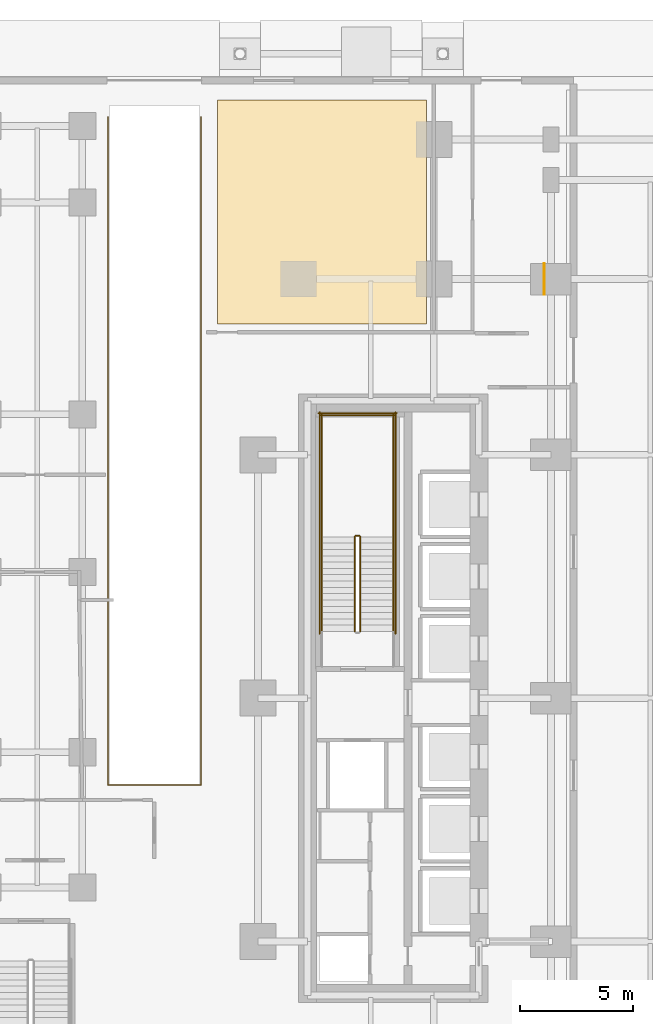
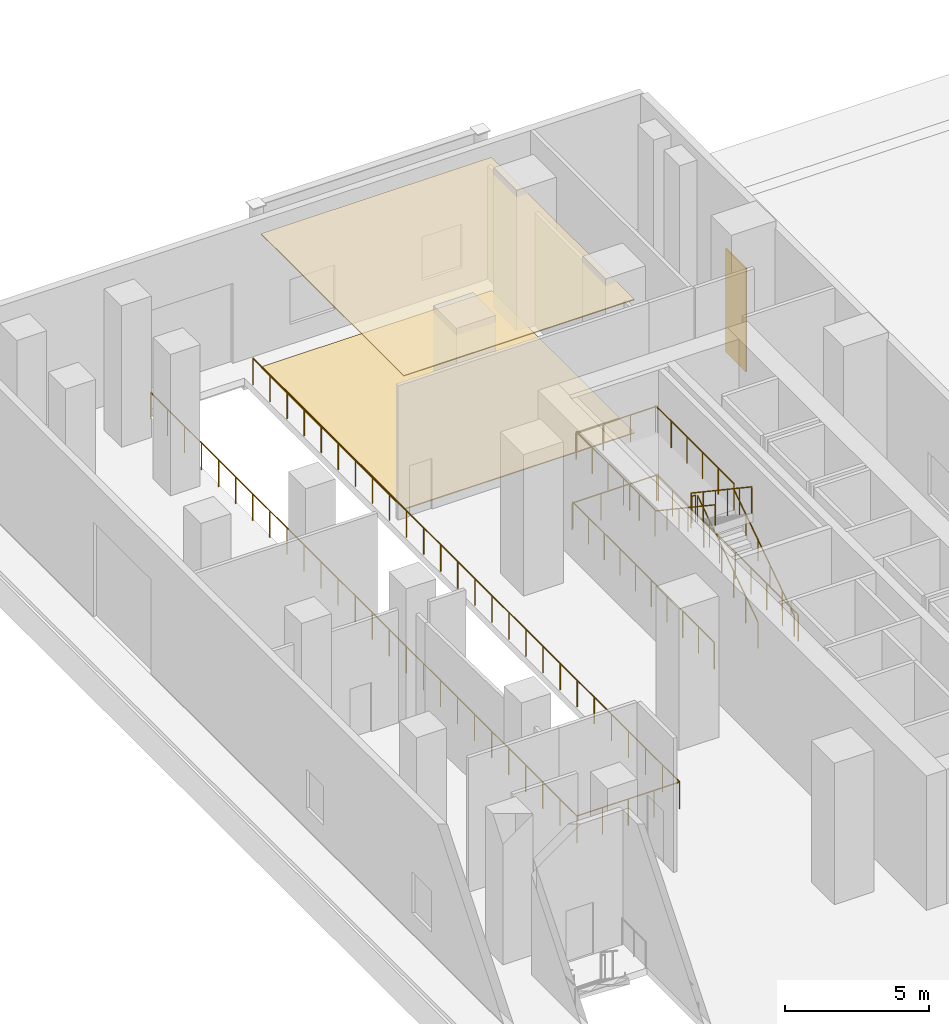
# One storey, part 19 of 22: 12 railings, 3 coverings.
"""IFC4 building model written with IfcOpenShell, lengths in metres."""

from ifc_helpers import new_model, si_unit, direction, frame, origin, origin_2d, place, context, subcontext, project, spatial, polyline, rectangle, circle, outline, extrude, material, layer, layer_set, type_object, element, save


model = new_model("IFC4")

# Units and contexts
model_context = context("Model", 3, precision=1e-05, world=origin(), true_north=direction((0.0, 1.0)))
body_context = subcontext(model_context, "Body", "Model", "MODEL_VIEW")
ifc_project = project(units=[si_unit("LENGTHUNIT", "METRE"), si_unit("AREAUNIT", "SQUARE_METRE"), si_unit("VOLUMEUNIT", "CUBIC_METRE"), si_unit("PLANEANGLEUNIT", "RADIAN"), si_unit("MASSUNIT", "GRAM", prefix="KILO")], contexts=[model_context])

# Site, building, storey
site_placement = place(None, origin())
site = spatial("IfcSite", under=ifc_project, at=site_placement, CompositionType="ELEMENT")
building_placement = place(site_placement, origin())
building = spatial("IfcBuilding", under=site, at=building_placement, Name="Khairoan Windgate Tower", CompositionType="ELEMENT")
storey_placement = place(building_placement, origin())
storey = spatial("IfcBuildingStorey", under=building, at=storey_placement, Name="L01", CompositionType="ELEMENT", Elevation=0.0)

# Coverings
ifc_material_1 = material(Name="Anodised Bronze Aluminium 6063-T6", Category="aluminium")
ifc_layer_1 = layer(ifc_material_1, 0.0400390625, Name="Anodised Bronze Aluminium 6063-T6")
ifc_layer_set_1 = layer_set([ifc_layer_1], Name="Anodised Bronze Aluminium 6063-T6")
covering_type_1 = type_object("IfcCoveringType", Name="Anodised Bronze Arch Pier Cladding", PredefinedType="CLADDING", material=ifc_layer_set_1)
covering_1_placement = place(storey_placement, frame((-9.5, 18.60009765625, 0.0), z_axis=(0.0, 0.0, 1.0), x_axis=(1.0, 0.0, 0.0)))
element("IfcCovering", 1, at=covering_1_placement, inside=storey, type_object=covering_type_1, Name="L01 Arch Pier Bronze Cladding 03", PredefinedType="CLADDING", context=body_context, shape_type="SweptSolid", body=[
    extrude(rectangle(XDim=0.0400390625, YDim=1.39990234375, at=origin_2d()), origin(), (0.0, 0.0, 1.0), 4.39990234375),
])
ifc_material_2 = material(Name="Acoustic Mineral Fibre Ceiling", Category="gypsum")
ifc_layer_2 = layer(ifc_material_2, 0.0400390625, Name="Acoustic Mineral Fibre Ceiling")
ifc_layer_set_2 = layer_set([ifc_layer_2], Name="Acoustic Mineral Fibre Ceiling")
covering_type_2 = type_object("IfcCoveringType", Name="Flush Acoustic Mineral Ceiling Panel", PredefinedType="CEILING", material=ifc_layer_set_2)
covering_2_placement = place(storey_placement, frame((0.0, 0.0, 5.659912109375)))
element("IfcCovering", 2, at=covering_2_placement, inside=storey, type_object=covering_type_2, Name="L01 Riverfront Retail Boutique West A Acoustic Ceiling", PredefinedType="CEILING", context=body_context, shape_type="SweptSolid", body=[
    extrude(outline(polyline([(-23.989990234375, 26.550048828125), (-14.72998046875, 26.550048828125), (-14.72998046875, 16.610107421875), (-23.989990234375, 16.610107421875), (-23.989990234375, 26.550048828125)])), origin(), (0.0, 0.0, 1.0), 0.0400390625),
])
ifc_material_3 = material(Name="Travertine Stone Paving", Category="masonry")
ifc_layer_3 = layer(ifc_material_3, 0.0400390625, Name="Travertine Stone Paving")
ifc_layer_set_3 = layer_set([ifc_layer_3], Name="Travertine Stone Paving")
covering_type_3 = type_object("IfcCoveringType", Name="Honed Travertine Lobby Stone Flooring", PredefinedType="FLOORING", material=ifc_layer_set_3)
covering_3_placement = place(storey_placement, origin())
element("IfcCovering", 3, at=covering_3_placement, inside=storey, type_object=covering_type_3, Name="L01 Riverfront Retail Boutique West A Finish Flooring", PredefinedType="FLOORING", context=body_context, shape_type="SweptSolid", body=[
    extrude(outline(polyline([(-23.989990234375, 26.550048828125), (-14.72998046875, 26.550048828125), (-14.72998046875, 16.610107421875), (-23.989990234375, 16.610107421875), (-23.989990234375, 26.550048828125)])), origin(), (0.0, 0.0, 1.0), 0.0400390625),
])

# Railings
ifc_material_4 = material(Name="Steel S355", Category="steel")
railing_type_1 = type_object("IfcRailingType", Name="Ramp Safety Guardrail RG-1150", PredefinedType="GUARDRAIL", material=ifc_material_4)
railing_1_placement = place(storey_placement, frame((-28.860107421875, 25.800048828125, 0.0)))
element("IfcRailing", 4, at=railing_1_placement, inside=storey, type_object=railing_type_1, Name="L01 Ramp R1 Void Perimeter Guardrail", PredefinedType="GUARDRAIL", context=body_context, shape_type="SweptSolid", body=[
    extrude(circle(Radius=0.02392578125, at=origin_2d()), frame((0.0, 0.0, 1.1259765625), z_axis=(0.0, -1.0, 0.0), x_axis=(1.0, 0.0, 0.0)), (0.0, 0.0, 1.0), 29.66015625),
    extrude(circle(Radius=0.02392578125, at=origin_2d()), frame((0.0, -29.66015625, 1.1259765625), z_axis=(1.0, 0.0, 0.0), x_axis=(0.0, 1.0, 0.0)), (0.0, 0.0, 1.0), 4.1201171875),
    extrude(circle(Radius=0.02392578125, at=origin_2d()), frame((4.1201171875, -29.66015625, 1.1259765625), z_axis=(0.0, 1.0, 0.0), x_axis=(-1.0, 0.0, 0.0)), (0.0, 0.0, 1.0), 29.66015625),
    extrude(circle(Radius=0.02099609375, at=origin_2d()), origin(), (0.0, 0.0, 1.0), 1.101806640625),
    extrude(circle(Radius=0.02099609375, at=origin_2d()), frame((0.0, -1.1865234375, 0.0)), (0.0, 0.0, 1.0), 1.101806640625),
    extrude(circle(Radius=0.02099609375, at=origin_2d()), frame((0.0, -2.372802734375, 0.0)), (0.0, 0.0, 1.0), 1.101806640625),
    extrude(circle(Radius=0.02099609375, at=origin_2d()), frame((0.0, -3.559326171875, 0.0)), (0.0, 0.0, 1.0), 1.101806640625),
    extrude(circle(Radius=0.02099609375, at=origin_2d()), frame((0.0, -4.74560546875, 0.0)), (0.0, 0.0, 1.0), 1.101806640625),
    extrude(circle(Radius=0.02099609375, at=origin_2d()), frame((0.0, -5.93212890625, 0.0)), (0.0, 0.0, 1.0), 1.101806640625),
    extrude(circle(Radius=0.02099609375, at=origin_2d()), frame((0.0, -7.118408203125, 0.0)), (0.0, 0.0, 1.0), 1.101806640625),
    extrude(circle(Radius=0.02099609375, at=origin_2d()), frame((0.0, -8.304931640625, 0.0)), (0.0, 0.0, 1.0), 1.101806640625),
    extrude(circle(Radius=0.02099609375, at=origin_2d()), frame((0.0, -9.4912109375, 0.0)), (0.0, 0.0, 1.0), 1.101806640625),
    extrude(circle(Radius=0.02099609375, at=origin_2d()), frame((0.0, -10.677734375, 0.0)), (0.0, 0.0, 1.0), 1.101806640625),
    extrude(circle(Radius=0.02099609375, at=origin_2d()), frame((0.0, -11.864013671875, 0.0)), (0.0, 0.0, 1.0), 1.101806640625),
    extrude(circle(Radius=0.02099609375, at=origin_2d()), frame((0.0, -13.050537109375, 0.0)), (0.0, 0.0, 1.0), 1.101806640625),
    extrude(circle(Radius=0.02099609375, at=origin_2d()), frame((0.0, -14.23681640625, 0.0)), (0.0, 0.0, 1.0), 1.101806640625),
    extrude(circle(Radius=0.02099609375, at=origin_2d()), frame((0.0, -15.42333984375, 0.0)), (0.0, 0.0, 1.0), 1.101806640625),
    extrude(circle(Radius=0.02099609375, at=origin_2d()), frame((0.0, -16.609619140625, 0.0)), (0.0, 0.0, 1.0), 1.101806640625),
    extrude(circle(Radius=0.02099609375, at=origin_2d()), frame((0.0, -17.796142578125, 0.0)), (0.0, 0.0, 1.0), 1.101806640625),
    extrude(circle(Radius=0.02099609375, at=origin_2d()), frame((0.0, -18.982421875, 0.0)), (0.0, 0.0, 1.0), 1.101806640625),
    extrude(circle(Radius=0.02099609375, at=origin_2d()), frame((0.0, -20.1689453125, 0.0)), (0.0, 0.0, 1.0), 1.101806640625),
    extrude(circle(Radius=0.02099609375, at=origin_2d()), frame((0.0, -21.355224609375, 0.0)), (0.0, 0.0, 1.0), 1.101806640625),
    extrude(circle(Radius=0.02099609375, at=origin_2d()), frame((0.0, -22.541748046875, 0.0)), (0.0, 0.0, 1.0), 1.101806640625),
    extrude(circle(Radius=0.02099609375, at=origin_2d()), frame((0.0, -23.72802734375, 0.0)), (0.0, 0.0, 1.0), 1.101806640625),
    extrude(circle(Radius=0.02099609375, at=origin_2d()), frame((0.0, -24.91455078125, 0.0)), (0.0, 0.0, 1.0), 1.101806640625),
    extrude(circle(Radius=0.02099609375, at=origin_2d()), frame((0.0, -26.100830078125, 0.0)), (0.0, 0.0, 1.0), 1.101806640625),
    extrude(circle(Radius=0.02099609375, at=origin_2d()), frame((0.0, -27.287353515625, 0.0)), (0.0, 0.0, 1.0), 1.101806640625),
    extrude(circle(Radius=0.02099609375, at=origin_2d()), frame((0.0, -28.4736328125, 0.0)), (0.0, 0.0, 1.0), 1.101806640625),
    extrude(circle(Radius=0.02099609375, at=origin_2d()), frame((0.0, -29.66015625, 0.0)), (0.0, 0.0, 1.0), 1.101806640625),
    extrude(circle(Radius=0.02099609375, at=origin_2d()), frame((1.030029296875, -29.66015625, 0.0)), (0.0, 0.0, 1.0), 1.101806640625),
    extrude(circle(Radius=0.02099609375, at=origin_2d()), frame((2.06005859375, -29.66015625, 0.0)), (0.0, 0.0, 1.0), 1.101806640625),
    extrude(circle(Radius=0.02099609375, at=origin_2d()), frame((3.090087890625, -29.66015625, 0.0)), (0.0, 0.0, 1.0), 1.101806640625),
    extrude(circle(Radius=0.02099609375, at=origin_2d()), frame((4.1201171875, -29.66015625, 0.0)), (0.0, 0.0, 1.0), 1.101806640625),
    extrude(circle(Radius=0.02099609375, at=origin_2d()), frame((4.1201171875, -28.4736328125, 0.0)), (0.0, 0.0, 1.0), 1.101806640625),
    extrude(circle(Radius=0.02099609375, at=origin_2d()), frame((4.1201171875, -27.287353515625, 0.0)), (0.0, 0.0, 1.0), 1.101806640625),
    extrude(circle(Radius=0.02099609375, at=origin_2d()), frame((4.1201171875, -26.100830078125, 0.0)), (0.0, 0.0, 1.0), 1.101806640625),
    extrude(circle(Radius=0.02099609375, at=origin_2d()), frame((4.1201171875, -24.91455078125, 0.0)), (0.0, 0.0, 1.0), 1.101806640625),
    extrude(circle(Radius=0.02099609375, at=origin_2d()), frame((4.1201171875, -23.72802734375, 0.0)), (0.0, 0.0, 1.0), 1.101806640625),
    extrude(circle(Radius=0.02099609375, at=origin_2d()), frame((4.1201171875, -22.541748046875, 0.0)), (0.0, 0.0, 1.0), 1.101806640625),
    extrude(circle(Radius=0.02099609375, at=origin_2d()), frame((4.1201171875, -21.355224609375, 0.0)), (0.0, 0.0, 1.0), 1.101806640625),
    extrude(circle(Radius=0.02099609375, at=origin_2d()), frame((4.1201171875, -20.1689453125, 0.0)), (0.0, 0.0, 1.0), 1.101806640625),
    extrude(circle(Radius=0.02099609375, at=origin_2d()), frame((4.1201171875, -18.982421875, 0.0)), (0.0, 0.0, 1.0), 1.101806640625),
    extrude(circle(Radius=0.02099609375, at=origin_2d()), frame((4.1201171875, -17.796142578125, 0.0)), (0.0, 0.0, 1.0), 1.101806640625),
    extrude(circle(Radius=0.02099609375, at=origin_2d()), frame((4.1201171875, -16.609619140625, 0.0)), (0.0, 0.0, 1.0), 1.101806640625),
    extrude(circle(Radius=0.02099609375, at=origin_2d()), frame((4.1201171875, -15.42333984375, 0.0)), (0.0, 0.0, 1.0), 1.101806640625),
    extrude(circle(Radius=0.02099609375, at=origin_2d()), frame((4.1201171875, -14.23681640625, 0.0)), (0.0, 0.0, 1.0), 1.101806640625),
    extrude(circle(Radius=0.02099609375, at=origin_2d()), frame((4.1201171875, -13.050537109375, 0.0)), (0.0, 0.0, 1.0), 1.101806640625),
    extrude(circle(Radius=0.02099609375, at=origin_2d()), frame((4.1201171875, -11.864013671875, 0.0)), (0.0, 0.0, 1.0), 1.101806640625),
    extrude(circle(Radius=0.02099609375, at=origin_2d()), frame((4.1201171875, -10.677734375, 0.0)), (0.0, 0.0, 1.0), 1.101806640625),
    extrude(circle(Radius=0.02099609375, at=origin_2d()), frame((4.1201171875, -9.4912109375, 0.0)), (0.0, 0.0, 1.0), 1.101806640625),
    extrude(circle(Radius=0.02099609375, at=origin_2d()), frame((4.1201171875, -8.304931640625, 0.0)), (0.0, 0.0, 1.0), 1.101806640625),
    extrude(circle(Radius=0.02099609375, at=origin_2d()), frame((4.1201171875, -7.118408203125, 0.0)), (0.0, 0.0, 1.0), 1.101806640625),
    extrude(circle(Radius=0.02099609375, at=origin_2d()), frame((4.1201171875, -5.93212890625, 0.0)), (0.0, 0.0, 1.0), 1.101806640625),
    extrude(circle(Radius=0.02099609375, at=origin_2d()), frame((4.1201171875, -4.74560546875, 0.0)), (0.0, 0.0, 1.0), 1.101806640625),
    extrude(circle(Radius=0.02099609375, at=origin_2d()), frame((4.1201171875, -3.559326171875, 0.0)), (0.0, 0.0, 1.0), 1.101806640625),
    extrude(circle(Radius=0.02099609375, at=origin_2d()), frame((4.1201171875, -2.372802734375, 0.0)), (0.0, 0.0, 1.0), 1.101806640625),
    extrude(circle(Radius=0.02099609375, at=origin_2d()), frame((4.1201171875, -1.1865234375, 0.0)), (0.0, 0.0, 1.0), 1.101806640625),
    extrude(circle(Radius=0.02099609375, at=origin_2d()), frame((4.1201171875, 0.0, 0.0)), (0.0, 0.0, 1.0), 1.101806640625),
])
ifc_material_5 = material(Name="Anodised Bronze Aluminium 6063-T6", Category="aluminium")
railing_type_2 = type_object("IfcRailingType", Name="Stair Wall Handrail SHR-900", PredefinedType="HANDRAIL", material=ifc_material_5)
railing_2_placement = place(storey_placement, frame((-16.199951171875, 2.9599609375, 0.1875)))
element("IfcRailing", 5, at=railing_2_placement, inside=storey, type_object=railing_type_2, Name="L01 ST2 stair handrail 1", PredefinedType="HANDRAIL", context=body_context, shape_type="SweptSolid", body=[
    extrude(circle(Radius=0.02392578125, at=origin_2d()), frame((0.0, 0.0, 0.8759765625), z_axis=(0.0, 0.830904186295, 0.556415522067), x_axis=(-1.0, 0.0, 0.0)), (0.0, 0.0, 1.0), 5.0546875),
    extrude(circle(Radius=0.02099609375, at=origin_2d()), origin(), (0.0, 0.0, 1.0), 0.851806640625),
    extrude(circle(Radius=0.02099609375, at=origin_2d()), frame((0.0, 0.840087890625, 0.5625)), (0.0, 0.0, 1.0), 0.851806640625),
    extrude(circle(Radius=0.02099609375, at=origin_2d()), frame((0.0, 1.679931640625, 1.125)), (0.0, 0.0, 1.0), 0.851806640625),
    extrude(circle(Radius=0.02099609375, at=origin_2d()), frame((0.0, 2.52001953125, 1.6875)), (0.0, 0.0, 1.0), 0.851806640625),
    extrude(circle(Radius=0.02099609375, at=origin_2d()), frame((0.0, 3.35986328125, 2.25)), (0.0, 0.0, 1.0), 0.851806640625),
    extrude(circle(Radius=0.02099609375, at=origin_2d()), frame((0.0, 4.199951171875, 2.8125)), (0.0, 0.0, 1.0), 0.851806640625),
])
railing_3_placement = place(storey_placement, frame((-19.3701171875, 7.159912109375, 3.1875)))
element("IfcRailing", 6, at=railing_3_placement, inside=storey, type_object=railing_type_2, Name="L01 ST2 stair handrail 2", PredefinedType="HANDRAIL", context=body_context, shape_type="SweptSolid", body=[
    extrude(circle(Radius=0.02392578125, at=origin_2d()), frame((0.0, 0.0, 0.8759765625), z_axis=(0.0, -0.830904186295, 0.556415522067), x_axis=(1.0, 0.0, 0.0)), (0.0, 0.0, 1.0), 5.0546875),
    extrude(circle(Radius=0.02099609375, at=origin_2d()), origin(), (0.0, 0.0, 1.0), 0.851806640625),
    extrude(circle(Radius=0.02099609375, at=origin_2d()), frame((0.0, -0.840087890625, 0.5625)), (0.0, 0.0, 1.0), 0.851806640625),
    extrude(circle(Radius=0.02099609375, at=origin_2d()), frame((0.0, -1.679931640625, 1.125)), (0.0, 0.0, 1.0), 0.851806640625),
    extrude(circle(Radius=0.02099609375, at=origin_2d()), frame((0.0, -2.52001953125, 1.6875)), (0.0, 0.0, 1.0), 0.851806640625),
    extrude(circle(Radius=0.02099609375, at=origin_2d()), frame((0.0, -3.35986328125, 2.25)), (0.0, 0.0, 1.0), 0.851806640625),
    extrude(circle(Radius=0.02099609375, at=origin_2d()), frame((0.0, -4.199951171875, 2.8125)), (0.0, 0.0, 1.0), 0.851806640625),
])
ifc_material_6 = material(Name="Steel S355", Category="steel")
railing_type_3 = type_object("IfcRailingType", Name="Stairwell Safety Guardrail SGR-1150", PredefinedType="GUARDRAIL", material=ifc_material_6)
railing_4_placement = place(storey_placement, frame((-17.659912109375, 2.9599609375, 0.1875)))
element("IfcRailing", 7, at=railing_4_placement, inside=storey, type_object=railing_type_3, Name="L01 ST2 stair guard 1", PredefinedType="GUARDRAIL", context=body_context, shape_type="SweptSolid", body=[
    extrude(circle(Radius=0.02392578125, at=origin_2d()), frame((0.0, 0.0, 1.1259765625), z_axis=(0.0, 0.830904186295, 0.556415522067), x_axis=(-1.0, 0.0, 0.0)), (0.0, 0.0, 1.0), 5.0546875),
    extrude(circle(Radius=0.02099609375, at=origin_2d()), origin(), (0.0, 0.0, 1.0), 1.101806640625),
    extrude(circle(Radius=0.02099609375, at=origin_2d()), frame((0.0, 0.840087890625, 0.5625)), (0.0, 0.0, 1.0), 1.101806640625),
    extrude(circle(Radius=0.02099609375, at=origin_2d()), frame((0.0, 1.679931640625, 1.125)), (0.0, 0.0, 1.0), 1.101806640625),
    extrude(circle(Radius=0.02099609375, at=origin_2d()), frame((0.0, 2.52001953125, 1.6875)), (0.0, 0.0, 1.0), 1.101806640625),
    extrude(circle(Radius=0.02099609375, at=origin_2d()), frame((0.0, 3.35986328125, 2.25)), (0.0, 0.0, 1.0), 1.101806640625),
    extrude(circle(Radius=0.02099609375, at=origin_2d()), frame((0.0, 4.199951171875, 2.8125)), (0.0, 0.0, 1.0), 1.101806640625),
])
railing_5_placement = place(storey_placement, frame((-17.7099609375, 7.2099609375, 3.0)))
element("IfcRailing", 8, at=railing_5_placement, inside=storey, type_object=railing_type_3, Name="L01 ST2 stair guard 2", PredefinedType="GUARDRAIL", context=body_context, shape_type="SweptSolid", body=[
    extrude(circle(Radius=0.02392578125, at=origin_2d()), frame((0.0, 0.0, 1.1259765625), z_axis=(-1.0, 0.0, 0.0), x_axis=(0.0, -1.0, 0.0)), (0.0, 0.0, 1.0), 0.150146484375),
    extrude(circle(Radius=0.02099609375, at=origin_2d()), origin(), (0.0, 0.0, 1.0), 1.101806640625),
    extrude(circle(Radius=0.02099609375, at=origin_2d()), frame((-0.150146484375, 0.0, 0.0)), (0.0, 0.0, 1.0), 1.101806640625),
])
for number, where, name in (
    (9, (-16.199951171875, 7.159912109375, 3.0), "L01 ST2 stair guard 3"),
    (10, (-19.3701171875, 7.159912109375, 3.0), "L01 ST2 stair guard 4"),
):
    element("IfcRailing", number, at=place(storey_placement, frame(where)), inside=storey, type_object=railing_type_3, Name=name, PredefinedType="GUARDRAIL", context=body_context, shape_type="SweptSolid", body=[
        extrude(circle(Radius=0.02392578125, at=origin_2d()), frame((0.0, 0.0, 1.1259765625), z_axis=(0.0, 1.0, 0.0), x_axis=(-1.0, 0.0, 0.0)), (0.0, 0.0, 1.0), 5.440185546875),
        extrude(circle(Radius=0.02099609375, at=origin_2d()), origin(), (0.0, 0.0, 1.0), 1.101806640625),
        extrude(circle(Radius=0.02099609375, at=origin_2d()), frame((0.0, 1.088134765625, 0.0)), (0.0, 0.0, 1.0), 1.101806640625),
        extrude(circle(Radius=0.02099609375, at=origin_2d()), frame((0.0, 2.176025390625, 0.0)), (0.0, 0.0, 1.0), 1.101806640625),
        extrude(circle(Radius=0.02099609375, at=origin_2d()), frame((0.0, 3.26416015625, 0.0)), (0.0, 0.0, 1.0), 1.101806640625),
        extrude(circle(Radius=0.02099609375, at=origin_2d()), frame((0.0, 4.35205078125, 0.0)), (0.0, 0.0, 1.0), 1.101806640625),
        extrude(circle(Radius=0.02099609375, at=origin_2d()), frame((0.0, 5.440185546875, 0.0)), (0.0, 0.0, 1.0), 1.101806640625),
    ])
railing_6_placement = place(storey_placement, frame((-16.14990234375, 12.550048828125, 3.0)))
element("IfcRailing", 11, at=railing_6_placement, inside=storey, type_object=railing_type_3, Name="L01 ST2 stair guard 5", PredefinedType="GUARDRAIL", context=body_context, shape_type="SweptSolid", body=[
    extrude(circle(Radius=0.02392578125, at=origin_2d()), frame((0.0, 0.0, 1.1259765625), z_axis=(-1.0, 0.0, 0.0), x_axis=(0.0, -1.0, 0.0)), (0.0, 0.0, 1.0), 3.27001953125),
    extrude(circle(Radius=0.02099609375, at=origin_2d()), origin(), (0.0, 0.0, 1.0), 1.101806640625),
    extrude(circle(Radius=0.02099609375, at=origin_2d()), frame((-1.090087890625, 0.0, 0.0)), (0.0, 0.0, 1.0), 1.101806640625),
    extrude(circle(Radius=0.02099609375, at=origin_2d()), frame((-2.179931640625, 0.0, 0.0)), (0.0, 0.0, 1.0), 1.101806640625),
    extrude(circle(Radius=0.02099609375, at=origin_2d()), frame((-3.27001953125, 0.0, 0.0)), (0.0, 0.0, 1.0), 1.101806640625),
])
railing_7_placement = place(storey_placement, frame((-17.909912109375, 7.159912109375, 3.1875)))
element("IfcRailing", 12, at=railing_7_placement, inside=storey, type_object=railing_type_3, Name="L01 ST2 stair guard 6", PredefinedType="GUARDRAIL", context=body_context, shape_type="SweptSolid", body=[
    extrude(circle(Radius=0.02392578125, at=origin_2d()), frame((0.0, 0.0, 1.1259765625), z_axis=(0.0, -0.830904186295, 0.556415522067), x_axis=(1.0, 0.0, 0.0)), (0.0, 0.0, 1.0), 5.0546875),
    extrude(circle(Radius=0.02099609375, at=origin_2d()), origin(), (0.0, 0.0, 1.0), 1.101806640625),
    extrude(circle(Radius=0.02099609375, at=origin_2d()), frame((0.0, -0.840087890625, 0.5625)), (0.0, 0.0, 1.0), 1.101806640625),
    extrude(circle(Radius=0.02099609375, at=origin_2d()), frame((0.0, -1.679931640625, 1.125)), (0.0, 0.0, 1.0), 1.101806640625),
    extrude(circle(Radius=0.02099609375, at=origin_2d()), frame((0.0, -2.52001953125, 1.6875)), (0.0, 0.0, 1.0), 1.101806640625),
    extrude(circle(Radius=0.02099609375, at=origin_2d()), frame((0.0, -3.35986328125, 2.25)), (0.0, 0.0, 1.0), 1.101806640625),
    extrude(circle(Radius=0.02099609375, at=origin_2d()), frame((0.0, -4.199951171875, 2.8125)), (0.0, 0.0, 1.0), 1.101806640625),
])
for number, where, name in (
    (13, (-16.10009765625, 2.860107421875, 0.0), "L01 ST2 stair guard 10"),
    (14, (-19.469970703125, 2.860107421875, 0.0), "L01 ST2 stair guard 11"),
):
    element("IfcRailing", number, at=place(storey_placement, frame(where)), inside=storey, type_object=railing_type_3, Name=name, PredefinedType="GUARDRAIL", context=body_context, shape_type="SweptSolid", body=[
        extrude(circle(Radius=0.02392578125, at=origin_2d()), frame((0.0, 0.0, 1.1259765625), z_axis=(0.0, 1.0, 0.0), x_axis=(-1.0, 0.0, 0.0)), (0.0, 0.0, 1.0), 9.83984375),
        extrude(circle(Radius=0.02099609375, at=origin_2d()), origin(), (0.0, 0.0, 1.0), 1.101806640625),
        extrude(circle(Radius=0.02099609375, at=origin_2d()), frame((0.0, 1.09326171875, 0.0)), (0.0, 0.0, 1.0), 1.101806640625),
        extrude(circle(Radius=0.02099609375, at=origin_2d()), frame((0.0, 2.1865234375, 0.0)), (0.0, 0.0, 1.0), 1.101806640625),
        extrude(circle(Radius=0.02099609375, at=origin_2d()), frame((0.0, 3.280029296875, 0.0)), (0.0, 0.0, 1.0), 1.101806640625),
        extrude(circle(Radius=0.02099609375, at=origin_2d()), frame((0.0, 4.373291015625, 0.0)), (0.0, 0.0, 1.0), 1.101806640625),
        extrude(circle(Radius=0.02099609375, at=origin_2d()), frame((0.0, 5.466552734375, 0.0)), (0.0, 0.0, 1.0), 1.101806640625),
        extrude(circle(Radius=0.02099609375, at=origin_2d()), frame((0.0, 6.559814453125, 0.0)), (0.0, 0.0, 1.0), 1.101806640625),
        extrude(circle(Radius=0.02099609375, at=origin_2d()), frame((0.0, 7.6533203125, 0.0)), (0.0, 0.0, 1.0), 1.101806640625),
        extrude(circle(Radius=0.02099609375, at=origin_2d()), frame((0.0, 8.74658203125, 0.0)), (0.0, 0.0, 1.0), 1.101806640625),
        extrude(circle(Radius=0.02099609375, at=origin_2d()), frame((0.0, 9.83984375, 0.0)), (0.0, 0.0, 1.0), 1.101806640625),
    ])
railing_8_placement = place(storey_placement, frame((-16.050048828125, 12.64990234375, 0.0)))
element("IfcRailing", 15, at=railing_8_placement, inside=storey, type_object=railing_type_3, Name="L01 ST2 stair guard 12", PredefinedType="GUARDRAIL", context=body_context, shape_type="SweptSolid", body=[
    extrude(circle(Radius=0.02392578125, at=origin_2d()), frame((0.0, 0.0, 1.1259765625), z_axis=(-1.0, 0.0, 0.0), x_axis=(0.0, -1.0, 0.0)), (0.0, 0.0, 1.0), 3.469970703125),
    extrude(circle(Radius=0.02099609375, at=origin_2d()), origin(), (0.0, 0.0, 1.0), 1.101806640625),
    extrude(circle(Radius=0.02099609375, at=origin_2d()), frame((-1.15673828125, 0.0, 0.0)), (0.0, 0.0, 1.0), 1.101806640625),
    extrude(circle(Radius=0.02099609375, at=origin_2d()), frame((-2.313232421875, 0.0, 0.0)), (0.0, 0.0, 1.0), 1.101806640625),
    extrude(circle(Radius=0.02099609375, at=origin_2d()), frame((-3.469970703125, 0.0, 0.0)), (0.0, 0.0, 1.0), 1.101806640625),
])

save(model, "model.ifc")
